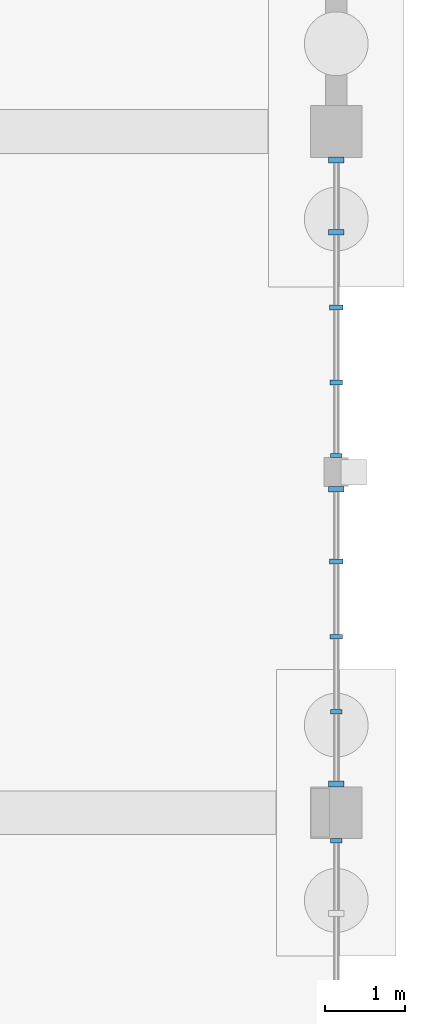
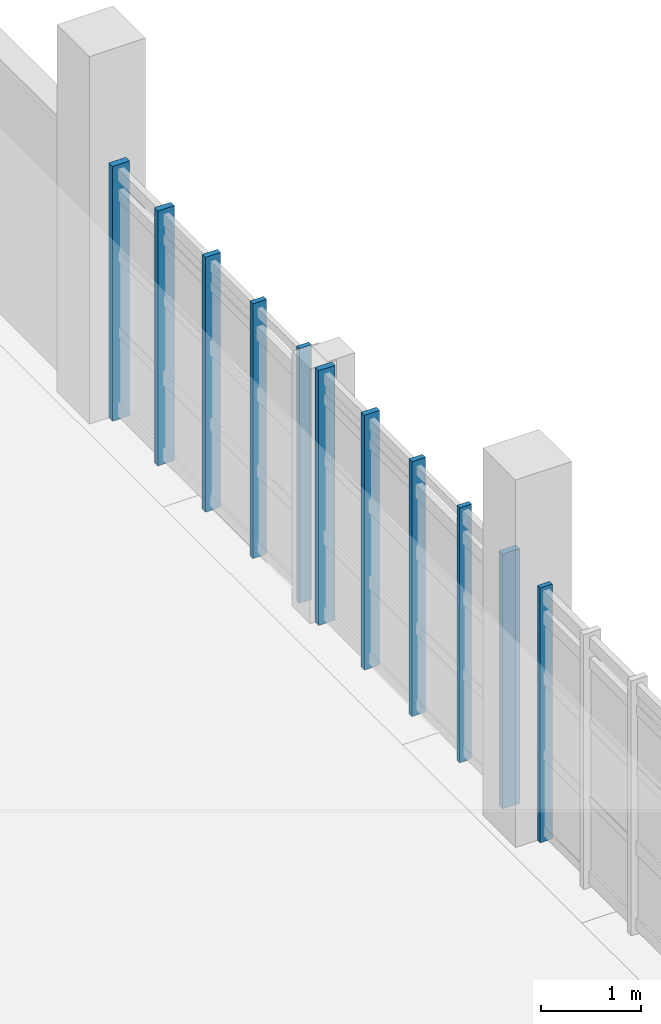
# One storey, part 51 of 125: 11 members, 3 elements without a shape of their own.
"""IFC4 building model written with IfcOpenShell, lengths in metres."""

from ifc_helpers import new_model, si_unit, direction, frame, origin, origin_2d, place, context, subcontext, project, spatial, rectangle, extrude, material, material_profile, profile_set, type_object, element, aggregate, save


model = new_model("IFC4")

# Units and contexts
model_context = context("Model", 3, precision=1e-05, world=origin(), true_north=direction((0.0, 1.0)))
body_context = subcontext(model_context, "Body", "Model", "MODEL_VIEW")
ifc_project = project(units=[si_unit("LENGTHUNIT", "METRE"), si_unit("AREAUNIT", "SQUARE_METRE"), si_unit("VOLUMEUNIT", "CUBIC_METRE"), si_unit("PLANEANGLEUNIT", "RADIAN"), si_unit("MASSUNIT", "GRAM", prefix="KILO")], contexts=[model_context])

# Site, building, storey
site_placement = place(None, origin())
site = spatial("IfcSite", under=ifc_project, at=site_placement, CompositionType="ELEMENT")
building_placement = place(site_placement, origin())
building = spatial("IfcBuilding", under=site, at=building_placement, Name="Serraforn Aerial Cableway Station", CompositionType="ELEMENT")
storey_placement = place(building_placement, frame((0.0, 0.0, 4.5)))
storey = spatial("IfcBuildingStorey", under=building, at=storey_placement, Name="L01", CompositionType="ELEMENT", Elevation=4.5)

# Curtain wall, member
ifc_material_1 = material(Name="Anodised bronze unitised curtain wall")
curtain_wall_type_1 = type_object("IfcCurtainWallType", Name="CW-SYS-18", PredefinedType="USERDEFINED", material=ifc_material_1)
curtain_wall_1_placement = place(storey_placement, origin())
curtain_wall_1 = element("IfcCurtainWall", 1, at=curtain_wall_1_placement, inside=storey, type_object=curtain_wall_type_1, Name="Unitised Curtain Wall CW-EG-L01-E6B", ObjectType="UNITISED CURTAIN WALL", PredefinedType="USERDEFINED")
ifc_material_2 = material(Name="Anodised bronze extruded aluminium", Category="aluminium")
ifc_material_profile_1 = material_profile(ifc_material_2, rectangle(XDim=0.054931640625, YDim=0.139892578125, at=origin_2d()), Name="CW MULLION 55x140")
ifc_profile_set_1 = profile_set([ifc_material_profile_1], Name="Anodised bronze extruded aluminium")
member_type_1 = type_object("IfcMemberType", Name="CW-MUL-1", PredefinedType="MULLION", material=ifc_profile_set_1)
member_1_placement = place(storey_placement, frame((168.0, 96.549560546875, 0.0), z_axis=(0.0, 0.0, 1.0), x_axis=(0.0, 1.0, 0.0)))
member_1 = element("IfcMember", 2, at=member_1_placement, type_object=member_type_1, Name="Curtain Wall Mullion CW-EG-L01-E6B-M5", PredefinedType="MULLION", context=body_context, shape_type="SweptSolid", body=[
    extrude(rectangle(XDim=0.054931640625, YDim=0.139892578125, at=origin_2d()), origin(), (0.0, 0.0, 1.0), 3.1201171875),
])
aggregate(curtain_wall_1, [member_1])

curtain_wall_type_2 = type_object("IfcCurtainWallType", Name="CW-SYS-21", PredefinedType="USERDEFINED", material=ifc_material_1)
curtain_wall_2_placement = place(storey_placement, origin())
curtain_wall_2 = element("IfcCurtainWall", 3, at=curtain_wall_2_placement, inside=storey, type_object=curtain_wall_type_2, Name="Unitised Curtain Wall CW-EG-L01-E7A", ObjectType="UNITISED CURTAIN WALL", PredefinedType="USERDEFINED")
member_2_placement = place(storey_placement, frame((168.0, 98.166015625, 0.0), z_axis=(0.0, 0.0, 1.0), x_axis=(0.0, 1.0, 0.0)))
member_2 = element("IfcMember", 4, at=member_2_placement, type_object=member_type_1, Name="Curtain Wall Mullion CW-EG-L01-E7A-M2", PredefinedType="MULLION", context=body_context, shape_type="SweptSolid", body=[
    extrude(rectangle(XDim=0.054931640625, YDim=0.139892578125, at=origin_2d()), origin(), (0.0, 0.0, 1.0), 3.1201171875),
])

curtain_wall_type_3 = type_object("IfcCurtainWallType", Name="CW-SYS-22", PredefinedType="USERDEFINED", material=ifc_material_1)
curtain_wall_3_placement = place(storey_placement, origin())
curtain_wall_3 = element("IfcCurtainWall", 5, at=curtain_wall_3_placement, inside=storey, type_object=curtain_wall_type_3, Name="Unitised Curtain Wall CW-EG-L01-E7B", ObjectType="UNITISED CURTAIN WALL", PredefinedType="USERDEFINED")
member_3_placement = place(storey_placement, frame((168.0, 101.382568359375, 0.0), z_axis=(0.0, 0.0, 1.0), x_axis=(0.0, 1.0, 0.0)))
member_3 = element("IfcMember", 6, at=member_3_placement, type_object=member_type_1, Name="Curtain Wall Mullion CW-EG-L01-E7B-M1", PredefinedType="MULLION", context=body_context, shape_type="SweptSolid", body=[
    extrude(rectangle(XDim=0.054931640625, YDim=0.139892578125, at=origin_2d()), origin(), (0.0, 0.0, 1.0), 3.1201171875),
])

# Member
ifc_material_profile_2 = material_profile(ifc_material_2, rectangle(XDim=0.06005859375, YDim=0.159912109375, at=origin_2d()), Name="CW MULLION 60x160")
ifc_profile_set_2 = profile_set([ifc_material_profile_2], Name="Anodised bronze extruded aluminium")
member_type_2 = type_object("IfcMemberType", Name="CW-MUL-2", PredefinedType="MULLION", material=ifc_profile_set_2)
member_4_placement = place(storey_placement, frame((168.0, 99.10888671875, 0.0), z_axis=(0.0, 0.0, 1.0), x_axis=(0.0, 1.0, 0.0)))
member_4 = element("IfcMember", 7, at=member_4_placement, type_object=member_type_2, Name="Curtain Wall Mullion CW-EG-L01-E7A-M3", PredefinedType="MULLION", context=body_context, shape_type="SweptSolid", body=[
    extrude(rectangle(XDim=0.06005859375, YDim=0.159912109375, at=origin_2d()), origin(), (0.0, 0.0, 1.0), 3.1201171875),
])

member_5_placement = place(storey_placement, frame((168.0, 102.298095703125, 0.0), z_axis=(0.0, 0.0, 1.0), x_axis=(0.0, 1.0, 0.0)))
member_5 = element("IfcMember", 8, at=member_5_placement, type_object=member_type_2, Name="Curtain Wall Mullion CW-EG-L01-E7B-M2", PredefinedType="MULLION", context=body_context, shape_type="SweptSolid", body=[
    extrude(rectangle(XDim=0.06005859375, YDim=0.159912109375, at=origin_2d()), origin(), (0.0, 0.0, 1.0), 3.1201171875),
])

ifc_material_profile_3 = material_profile(ifc_material_2, rectangle(XDim=0.06494140625, YDim=0.175048828125, at=origin_2d()), Name="CW MULLION 65x175")
ifc_profile_set_3 = profile_set([ifc_material_profile_3], Name="Anodised bronze extruded aluminium")
member_type_3 = type_object("IfcMemberType", Name="CW-MUL-3", PredefinedType="MULLION", material=ifc_profile_set_3)
member_6_placement = place(storey_placement, frame((168.0, 100.052001953125, 0.0), z_axis=(0.0, 0.0, 1.0), x_axis=(0.0, 1.0, 0.0)))
member_6 = element("IfcMember", 9, at=member_6_placement, type_object=member_type_3, Name="Curtain Wall Mullion CW-EG-L01-E7A-M4", PredefinedType="MULLION", context=body_context, shape_type="SweptSolid", body=[
    extrude(rectangle(XDim=0.06494140625, YDim=0.175048828125, at=origin_2d()), origin(), (0.0, 0.0, 1.0), 3.1201171875),
])

member_7_placement = place(storey_placement, frame((168.0, 103.240966796875, 0.0), z_axis=(0.0, 0.0, 1.0), x_axis=(0.0, 1.0, 0.0)))
member_7 = element("IfcMember", 10, at=member_7_placement, type_object=member_type_3, Name="Curtain Wall Mullion CW-EG-L01-E7B-M3", PredefinedType="MULLION", context=body_context, shape_type="SweptSolid", body=[
    extrude(rectangle(XDim=0.06494140625, YDim=0.175048828125, at=origin_2d()), origin(), (0.0, 0.0, 1.0), 3.1201171875),
])

ifc_material_profile_4 = material_profile(ifc_material_2, rectangle(XDim=0.070068359375, YDim=0.18994140625, at=origin_2d()), Name="CW MULLION 70x190")
ifc_profile_set_4 = profile_set([ifc_material_profile_4], Name="Anodised bronze extruded aluminium")
member_type_4 = type_object("IfcMemberType", Name="CW-MUL-4", PredefinedType="MULLION", material=ifc_profile_set_4)
member_8_placement = place(storey_placement, frame((168.0, 100.9599609375, 0.0), z_axis=(0.0, 0.0, 1.0), x_axis=(0.0, 1.0, 0.0)))
member_8 = element("IfcMember", 11, at=member_8_placement, type_object=member_type_4, Name="Curtain Wall Mullion CW-EG-L01-E7A-M5", PredefinedType="MULLION", context=body_context, shape_type="SweptSolid", body=[
    extrude(rectangle(XDim=0.070068359375, YDim=0.18994140625, at=origin_2d()), origin(), (0.0, 0.0, 1.0), 3.1201171875),
])

member_9_placement = place(storey_placement, frame((168.0, 104.18408203125, 0.0), z_axis=(0.0, 0.0, 1.0), x_axis=(0.0, 1.0, 0.0)))
member_9 = element("IfcMember", 12, at=member_9_placement, type_object=member_type_4, Name="Curtain Wall Mullion CW-EG-L01-E7B-M4", PredefinedType="MULLION", context=body_context, shape_type="SweptSolid", body=[
    extrude(rectangle(XDim=0.070068359375, YDim=0.18994140625, at=origin_2d()), origin(), (0.0, 0.0, 1.0), 3.1201171875),
])

ifc_material_profile_5 = material_profile(ifc_material_2, rectangle(XDim=0.074951171875, YDim=0.199951171875, at=origin_2d()), Name="CW MULLION 75x200")
ifc_profile_set_5 = profile_set([ifc_material_profile_5], Name="Anodised bronze extruded aluminium")
member_type_5 = type_object("IfcMemberType", Name="CW-MUL-5", PredefinedType="MULLION", material=ifc_profile_set_5)
member_10_placement = place(storey_placement, frame((168.0, 97.260498046875, 0.0), z_axis=(0.0, 0.0, 1.0), x_axis=(0.0, 1.0, 0.0)))
member_10 = element("IfcMember", 13, at=member_10_placement, type_object=member_type_5, Name="Curtain Wall Mullion CW-EG-L01-E7A-M1", PredefinedType="MULLION", context=body_context, shape_type="SweptSolid", body=[
    extrude(rectangle(XDim=0.074951171875, YDim=0.199951171875, at=origin_2d()), origin(), (0.0, 0.0, 1.0), 3.1201171875),
])

aggregate(curtain_wall_2, [member_10, member_2, member_4, member_6, member_8])

member_11_placement = place(storey_placement, frame((168.0, 105.089599609375, 0.0), z_axis=(0.0, 0.0, 1.0), x_axis=(0.0, 1.0, 0.0)))
member_11 = element("IfcMember", 14, at=member_11_placement, type_object=member_type_5, Name="Curtain Wall Mullion CW-EG-L01-E7B-M5", PredefinedType="MULLION", context=body_context, shape_type="SweptSolid", body=[
    extrude(rectangle(XDim=0.074951171875, YDim=0.199951171875, at=origin_2d()), origin(), (0.0, 0.0, 1.0), 3.1201171875),
])

aggregate(curtain_wall_3, [member_3, member_5, member_7, member_9, member_11])

save(model, "model.ifc")
